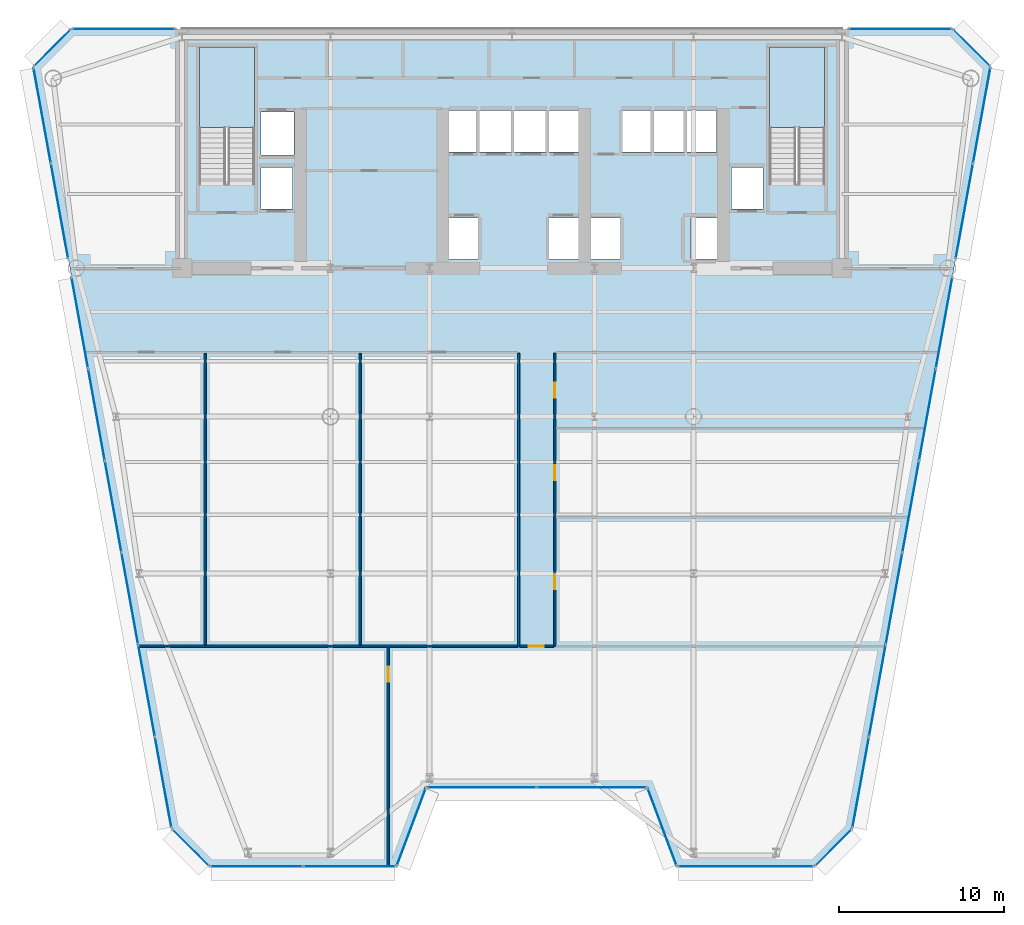
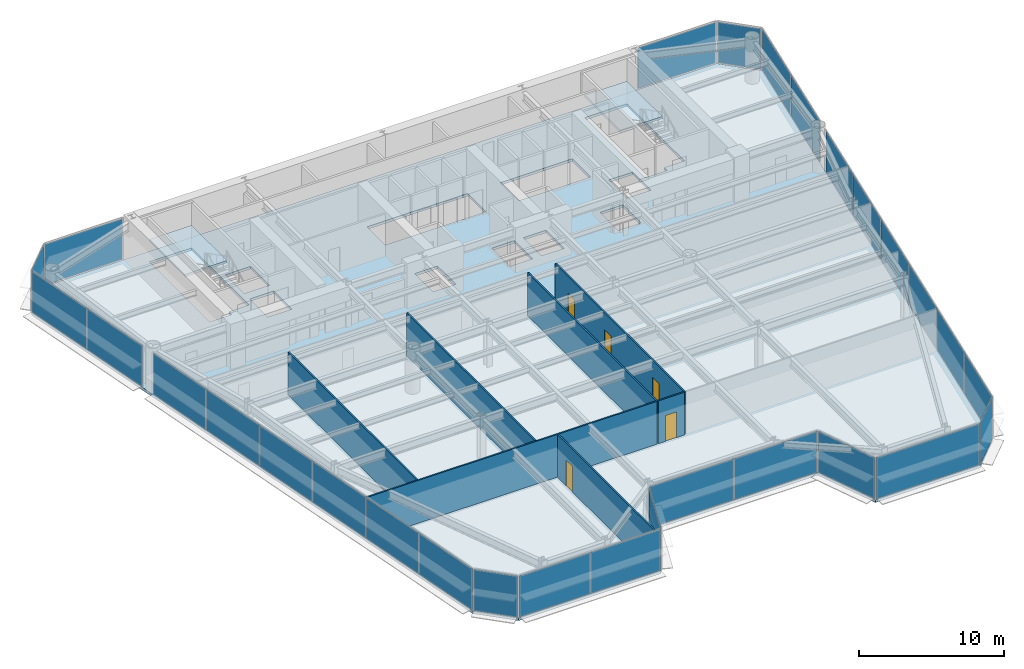
# One storey, part 7 of 14: 29 plates, 7 walls, 5 doors, 3 slabs, 5 openings, 17 elements without a shape of their own.
"""IFC4 building model written with IfcOpenShell, lengths in metres."""

from ifc_helpers import new_model, si_unit, direction, frame, frame_2d, origin, origin_2d, place, context, subcontext, project, spatial, polyline, rectangle, outline, extrude, source, transform, mapped, material, layer, layer_set, type_object, element, fill, aggregate, save


model = new_model("IFC4")

# Units and contexts
model_context = context("Model", 3, precision=1e-05, world=origin(), true_north=direction((0.0, 1.0)))
body_context = subcontext(model_context, "Body", "Model", "MODEL_VIEW")
ifc_project = project(units=[si_unit("LENGTHUNIT", "METRE"), si_unit("AREAUNIT", "SQUARE_METRE"), si_unit("VOLUMEUNIT", "CUBIC_METRE"), si_unit("PLANEANGLEUNIT", "RADIAN"), si_unit("MASSUNIT", "GRAM", prefix="KILO")], contexts=[model_context])

# Site, building, storey
site_placement = place(None, origin())
site = spatial("IfcSite", under=ifc_project, at=site_placement, CompositionType="ELEMENT")
building_placement = place(site_placement, origin())
building = spatial("IfcBuilding", under=site, at=building_placement, Name="Vaeldorn Concourse Tower", CompositionType="ELEMENT")
storey_placement = place(building_placement, frame((0.0, 0.0, 141.39990234375)))
storey = spatial("IfcBuildingStorey", under=building, at=storey_placement, Name="L36", CompositionType="ELEMENT", Elevation=141.39990234375)

# Stair, slab
ifc_material_1 = material(Name="Precast concrete C40/50", Category="concrete")
stair_type = type_object("IfcStairType", Name="STR-DOG-24x158", PredefinedType="HALF_TURN_STAIR", material=ifc_material_1)
stair_1_placement = place(storey_placement, origin())
stair_1 = element("IfcStair", 1, at=stair_1_placement, inside=storey, type_object=stair_type, Name="L36 West Core Exit Stair ST-1", PredefinedType="HALF_TURN_STAIR")
ifc_material_2 = material(Name="Concrete C40/50", Category="concrete")
ifc_layer_1 = layer(ifc_material_2, 0.199951171875)
ifc_layer_set_1 = layer_set([ifc_layer_1], Name="Concrete C40/50")
slab_type_1 = type_object("IfcSlabType", Name="SL-STAIR-LANDING", PredefinedType="LANDING", material=ifc_layer_set_1)
slab_1_placement = place(storey_placement, frame((0.0, 0.0, 1.7001953125)))
slab_1 = element("IfcSlab", 2, at=slab_1_placement, type_object=slab_type_1, Name="ST-1 landing 1", PredefinedType="LANDING", context=body_context, shape_type="SweptSolid", body=[
    extrude(outline(polyline([(18.39990234375, 45.010009765625), (18.39990234375, 49.89990234375), (15.050048828125, 49.89990234375), (15.050048828125, 45.010009765625), (18.39990234375, 45.010009765625)])), origin(), (0.0, 0.0, 1.0), 0.199951171875),
])
aggregate(stair_1, [slab_1])

stair_2_placement = place(storey_placement, origin())
stair_2 = element("IfcStair", 3, at=stair_2_placement, inside=storey, type_object=stair_type, Name="L36 East Core Exit Stair ST-2", PredefinedType="HALF_TURN_STAIR")
slab_2_placement = place(storey_placement, frame((0.0, 0.0, 1.7001953125)))
slab_2 = element("IfcSlab", 4, at=slab_2_placement, type_object=slab_type_1, Name="ST-2 landing 1", PredefinedType="LANDING", context=body_context, shape_type="SweptSolid", body=[
    extrude(outline(polyline([(52.949951171875, 45.010009765625), (52.949951171875, 49.89990234375), (49.60009765625, 49.89990234375), (49.60009765625, 45.010009765625), (52.949951171875, 45.010009765625)])), origin(), (0.0, 0.0, 1.0), 0.199951171875),
])
aggregate(stair_2, [slab_2])

# Slab
ifc_layer_2 = layer(ifc_material_2, 0.219970703125)
ifc_layer_set_2 = layer_set([ifc_layer_2], Name="Concrete C40/50")
slab_type_2 = type_object("IfcSlabType", Name="SL-TYP-220", PredefinedType="FLOOR", material=ifc_layer_set_2)
slab_3_placement = place(storey_placement, frame((0.0, 0.0, -0.219970703125)))
element("IfcSlab", 5, at=slab_3_placement, inside=storey, type_object=slab_type_2, Name="Structural Floor Slab L36", PredefinedType="FLOOR", context=body_context, shape_type="SweptSolid", body=[
    extrude(outline(polyline([(15.675537109375, 0.239013671875), (27.0, 0.239013671875), (28.800048828125, 5.0390625), (42.199951171875, 5.0390625), (44.0, 0.239013671875), (52.324462890625, 0.239013671875), (54.62451171875, 2.5390625), (63.0, 48.699951171875), (60.699951171875, 51.0), (7.300048828125, 51.0), (5.0, 48.699951171875), (13.37548828125, 2.5390625), (15.675537109375, 0.239013671875)]), holes=[polyline([(18.39990234375, 42.0), (18.39990234375, 49.89990234375), (15.050048828125, 49.89990234375), (15.050048828125, 41.60009765625), (16.800048828125, 41.60009765625), (16.800048828125, 42.0), (18.39990234375, 42.0)]), polyline([(52.949951171875, 42.0), (52.949951171875, 49.89990234375), (49.60009765625, 49.89990234375), (49.60009765625, 41.60009765625), (51.35009765625, 41.60009765625), (51.35009765625, 42.0), (52.949951171875, 42.0)]), polyline([(30.14990234375, 37.050048828125), (31.949951171875, 37.050048828125), (31.949951171875, 39.550048828125), (30.14990234375, 39.550048828125), (30.14990234375, 37.050048828125)]), polyline([(36.25, 37.050048828125), (38.050048828125, 37.050048828125), (38.050048828125, 39.550048828125), (36.25, 39.550048828125), (36.25, 37.050048828125)]), polyline([(30.10009765625, 43.550048828125), (38.10009765625, 43.550048828125), (38.10009765625, 46.050048828125), (30.10009765625, 46.050048828125), (30.10009765625, 43.550048828125)]), polyline([(38.75, 37.050048828125), (40.550048828125, 37.050048828125), (40.550048828125, 39.550048828125), (38.75, 39.550048828125), (38.75, 37.050048828125)]), polyline([(44.85009765625, 37.050048828125), (46.64990234375, 37.050048828125), (46.64990234375, 39.550048828125), (44.85009765625, 39.550048828125), (44.85009765625, 37.050048828125)]), polyline([(40.699951171875, 43.550048828125), (46.39990234375, 43.550048828125), (46.39990234375, 46.050048828125), (40.699951171875, 46.050048828125), (40.699951171875, 43.550048828125)]), polyline([(18.800048828125, 43.35009765625), (20.800048828125, 43.35009765625), (20.800048828125, 45.949951171875), (18.800048828125, 45.949951171875), (18.800048828125, 43.35009765625)]), polyline([(18.800048828125, 40.10009765625), (20.699951171875, 40.10009765625), (20.699951171875, 42.60009765625), (18.800048828125, 42.60009765625), (18.800048828125, 40.10009765625)]), polyline([(47.300048828125, 40.10009765625), (49.199951171875, 40.10009765625), (49.199951171875, 42.60009765625), (47.300048828125, 42.60009765625), (47.300048828125, 40.10009765625)])]), origin(), (0.0, 0.0, 1.0), 0.219970703125),
])

# Curtain wall, plate
ifc_material_3 = material(Name="Anodised Bronze Aluminium", Category="aluminium")
ifc_layer_3 = layer(ifc_material_3, 0.199951171875)
ifc_layer_set_3 = layer_set([ifc_layer_3], Name="Anodised Bronze Aluminium")
curtain_wall_type = type_object("IfcCurtainWallType", Name="CW-SYS-02", PredefinedType="NOTDEFINED", material=ifc_layer_set_3)
curtain_wall_1_placement = place(storey_placement, origin())
curtain_wall_1 = element("IfcCurtainWall", 6, at=curtain_wall_1_placement, inside=storey, type_object=curtain_wall_type, Name="Unitised Curtain Wall CW-L36-E02-1", PredefinedType="NOTDEFINED")
ifc_material_4 = material(Name="Bronze Tinted Low-E Insulated Glass", Category="glass")
ifc_layer_4 = layer(ifc_material_4, 0.031982421875)
ifc_layer_set_4 = layer_set([ifc_layer_4], Name="Bronze Tinted Low-E Insulated Glass")
plate_type = type_object("IfcPlateType", Name="CWP-VISION-32", PredefinedType="CURTAIN_PANEL", material=ifc_layer_set_4)
shared_shape_1 = source(origin(), body_context, "Body", "SweptSolid", [
    extrude(rectangle(XDim=4.976318359375, YDim=0.031982421875, at=origin_2d()), origin(), (0.0, 0.0, 1.0), 3.429931640625),
])
plate_1_placement = place(storey_placement, frame((27.89990234375, 2.63916015625, 0.0751953125), z_axis=(0.0, 0.0, 1.0), x_axis=(0.351123441595, 0.936329177566, 0.0)))
plate_1 = element("IfcPlate", 7, at=plate_1_placement, type_object=plate_type, Name="CW-02 panel 1.1", PredefinedType="CURTAIN_PANEL", context=body_context, shape_type="MappedRepresentation", body=[
    mapped(shared_shape_1, transform((0.0, 0.0, 0.0), scale=1.0)),
])
aggregate(curtain_wall_1, [plate_1])

curtain_wall_2_placement = place(storey_placement, origin())
curtain_wall_2 = element("IfcCurtainWall", 8, at=curtain_wall_2_placement, inside=storey, type_object=curtain_wall_type, Name="Unitised Curtain Wall CW-L36-E04-1", PredefinedType="NOTDEFINED")
plate_2_placement = place(storey_placement, frame((43.10009765625, 2.63916015625, 0.0751953125), z_axis=(0.0, 0.0, 1.0), x_axis=(0.351123441595, -0.936329177566, 0.0)))
plate_2 = element("IfcPlate", 9, at=plate_2_placement, type_object=plate_type, Name="CW-02 panel 1.1", PredefinedType="CURTAIN_PANEL", context=body_context, shape_type="MappedRepresentation", body=[
    mapped(shared_shape_1, transform((0.0, 0.0, 0.0), scale=1.0)),
])
aggregate(curtain_wall_2, [plate_2])

# Curtain wall, plates
curtain_wall_3_placement = place(storey_placement, origin())
curtain_wall_3 = element("IfcCurtainWall", 10, at=curtain_wall_3_placement, inside=storey, type_object=curtain_wall_type, Name="Unitised Curtain Wall CW-L36-E03-1", PredefinedType="NOTDEFINED")
shared_shape_2 = source(origin(), body_context, "Body", "SweptSolid", [
    extrude(rectangle(XDim=6.58740234375, YDim=0.031982421875, at=origin_2d()), origin(), (0.0, 0.0, 1.0), 3.429931640625),
])
plate_3_placement = place(storey_placement, frame((32.168701171875, 5.0390625, 0.0751953125), z_axis=(0.0, 0.0, 1.0), x_axis=(1.0, 0.0, 0.0)))
plate_3 = element("IfcPlate", 11, at=plate_3_placement, type_object=plate_type, Name="CW-02 panel 1.1", PredefinedType="CURTAIN_PANEL", context=body_context, shape_type="MappedRepresentation", body=[
    mapped(shared_shape_2, transform((0.0, 0.0, 0.0), scale=1.0)),
])
plate_4_placement = place(storey_placement, frame((38.831298828125, 5.0390625, 0.0751953125), z_axis=(0.0, 0.0, 1.0), x_axis=(1.0, 0.0, 0.0)))
plate_4 = element("IfcPlate", 12, at=plate_4_placement, type_object=plate_type, Name="CW-02 panel 2.1", PredefinedType="CURTAIN_PANEL", context=body_context, shape_type="MappedRepresentation", body=[
    mapped(shared_shape_2, transform((0.0, 0.0, 0.0), scale=1.0)),
])
aggregate(curtain_wall_3, [plate_3, plate_4])

# Curtain wall, plate
curtain_wall_4_placement = place(storey_placement, origin())
curtain_wall_4 = element("IfcCurtainWall", 13, at=curtain_wall_4_placement, inside=storey, type_object=curtain_wall_type, Name="Unitised Curtain Wall CW-L36-E06-1", PredefinedType="NOTDEFINED")
shared_shape_3 = source(origin(), body_context, "Body", "SweptSolid", [
    extrude(rectangle(XDim=3.102783203125, YDim=0.031982421875, at=origin_2d()), origin(), (0.0, 0.0, 1.0), 3.429931640625),
])
plate_5_placement = place(storey_placement, frame((53.474609375, 1.38916015625, 0.0751953125), z_axis=(0.0, 0.0, 1.0), x_axis=(0.707106781187, 0.707106781187, 0.0)))
plate_5 = element("IfcPlate", 14, at=plate_5_placement, type_object=plate_type, Name="CW-02 panel 1.1", PredefinedType="CURTAIN_PANEL", context=body_context, shape_type="MappedRepresentation", body=[
    mapped(shared_shape_3, transform((0.0, 0.0, 0.0), scale=1.0)),
])
aggregate(curtain_wall_4, [plate_5])

curtain_wall_5_placement = place(storey_placement, origin())
curtain_wall_5 = element("IfcCurtainWall", 15, at=curtain_wall_5_placement, inside=storey, type_object=curtain_wall_type, Name="Unitised Curtain Wall CW-L36-E08-1", PredefinedType="NOTDEFINED")
plate_6_placement = place(storey_placement, frame((61.85009765625, 49.85009765625, 0.0751953125), z_axis=(0.0, 0.0, 1.0), x_axis=(-0.707106781187, 0.707106781187, 0.0)))
plate_6 = element("IfcPlate", 16, at=plate_6_placement, type_object=plate_type, Name="CW-02 panel 1.1", PredefinedType="CURTAIN_PANEL", context=body_context, shape_type="MappedRepresentation", body=[
    mapped(shared_shape_3, transform((0.0, 0.0, 0.0), scale=1.0)),
])
aggregate(curtain_wall_5, [plate_6])

curtain_wall_6_placement = place(storey_placement, origin())
curtain_wall_6 = element("IfcCurtainWall", 17, at=curtain_wall_6_placement, inside=storey, type_object=curtain_wall_type, Name="Unitised Curtain Wall CW-L36-E10-1", PredefinedType="NOTDEFINED")
plate_7_placement = place(storey_placement, frame((6.14990234375, 49.85009765625, 0.0751953125), z_axis=(0.0, 0.0, 1.0), x_axis=(-0.707106781187, -0.707106781187, 0.0)))
plate_7 = element("IfcPlate", 18, at=plate_7_placement, type_object=plate_type, Name="CW-02 panel 1.1", PredefinedType="CURTAIN_PANEL", context=body_context, shape_type="MappedRepresentation", body=[
    mapped(shared_shape_3, transform((0.0, 0.0, 0.0), scale=1.0)),
])
aggregate(curtain_wall_6, [plate_7])

curtain_wall_7_placement = place(storey_placement, origin())
curtain_wall_7 = element("IfcCurtainWall", 19, at=curtain_wall_7_placement, inside=storey, type_object=curtain_wall_type, Name="Unitised Curtain Wall CW-L36-E12-1", PredefinedType="NOTDEFINED")
plate_8_placement = place(storey_placement, frame((14.525390625, 1.38916015625, 0.0751953125), z_axis=(0.0, 0.0, 1.0), x_axis=(0.707106781187, -0.707106781187, 0.0)))
plate_8 = element("IfcPlate", 20, at=plate_8_placement, type_object=plate_type, Name="CW-02 panel 1.1", PredefinedType="CURTAIN_PANEL", context=body_context, shape_type="MappedRepresentation", body=[
    mapped(shared_shape_3, transform((0.0, 0.0, 0.0), scale=1.0)),
])
aggregate(curtain_wall_7, [plate_8])

# Curtain wall, plates
curtain_wall_8_placement = place(storey_placement, origin())
curtain_wall_8 = element("IfcCurtainWall", 21, at=curtain_wall_8_placement, inside=storey, type_object=curtain_wall_type, Name="Unitised Curtain Wall CW-L36-E01-1", PredefinedType="NOTDEFINED")
shared_shape_4 = source(origin(), body_context, "Body", "SweptSolid", [
    extrude(rectangle(XDim=5.5498046875, YDim=0.031982421875, at=origin_2d()), origin(), (0.0, 0.0, 1.0), 3.429931640625),
])
plate_9_placement = place(storey_placement, frame((18.525390625, 0.239013671875, 0.0751953125), z_axis=(0.0, 0.0, 1.0), x_axis=(1.0, 0.0, 0.0)))
plate_9 = element("IfcPlate", 22, at=plate_9_placement, type_object=plate_type, Name="CW-02 panel 1.1", PredefinedType="CURTAIN_PANEL", context=body_context, shape_type="MappedRepresentation", body=[
    mapped(shared_shape_4, transform((0.0, 0.0, 0.0), scale=1.0)),
])
plate_10_placement = place(storey_placement, frame((24.150146484375, 0.239013671875, 0.0751953125), z_axis=(0.0, 0.0, 1.0), x_axis=(1.0, 0.0, 0.0)))
plate_10 = element("IfcPlate", 23, at=plate_10_placement, type_object=plate_type, Name="CW-02 panel 2.1", PredefinedType="CURTAIN_PANEL", context=body_context, shape_type="MappedRepresentation", body=[
    mapped(shared_shape_4, transform((0.0, 0.0, 0.0), scale=1.0)),
])
aggregate(curtain_wall_8, [plate_9, plate_10])

# Curtain wall, plate
curtain_wall_9_placement = place(storey_placement, origin())
curtain_wall_9 = element("IfcCurtainWall", 24, at=curtain_wall_9_placement, inside=storey, type_object=curtain_wall_type, Name="Unitised Curtain Wall CW-L36-E05-1", PredefinedType="NOTDEFINED")
shared_shape_5 = source(origin(), body_context, "Body", "SweptSolid", [
    extrude(rectangle(XDim=8.174560546875, YDim=0.031982421875, at=origin_2d()), origin(), (0.0, 0.0, 1.0), 3.429931640625),
])
plate_11_placement = place(storey_placement, frame((48.162353515625, 0.239013671875, 0.0751953125), z_axis=(0.0, 0.0, 1.0), x_axis=(1.0, 0.0, 0.0)))
plate_11 = element("IfcPlate", 25, at=plate_11_placement, type_object=plate_type, Name="CW-02 panel 1.1", PredefinedType="CURTAIN_PANEL", context=body_context, shape_type="MappedRepresentation", body=[
    mapped(shared_shape_5, transform((0.0, 0.0, 0.0), scale=1.0)),
])
aggregate(curtain_wall_9, [plate_11])

curtain_wall_10_placement = place(storey_placement, origin())
curtain_wall_10 = element("IfcCurtainWall", 26, at=curtain_wall_10_placement, inside=storey, type_object=curtain_wall_type, Name="Unitised Curtain Wall CW-L36-E09-1", PredefinedType="NOTDEFINED")
shared_shape_6 = source(origin(), body_context, "Body", "SweptSolid", [
    extrude(rectangle(XDim=6.179931640625, YDim=0.031982421875, at=origin_2d()), origin(), (0.0, 0.0, 1.0), 3.429931640625),
])
plate_12_placement = place(storey_placement, frame((57.534912109375, 51.0, 0.0751953125), z_axis=(0.0, 0.0, 1.0), x_axis=(-1.0, 0.0, 0.0)))
plate_12 = element("IfcPlate", 27, at=plate_12_placement, type_object=plate_type, Name="CW-02 panel 1.1", PredefinedType="CURTAIN_PANEL", context=body_context, shape_type="MappedRepresentation", body=[
    mapped(shared_shape_6, transform((0.0, 0.0, 0.0), scale=1.0)),
])
aggregate(curtain_wall_10, [plate_12])

curtain_wall_11_placement = place(storey_placement, origin())
curtain_wall_11 = element("IfcCurtainWall", 28, at=curtain_wall_11_placement, inside=storey, type_object=curtain_wall_type, Name="Unitised Curtain Wall CW-L36-E09-2", PredefinedType="NOTDEFINED")
plate_13_placement = place(storey_placement, frame((10.465087890625, 51.0, 0.0751953125), z_axis=(0.0, 0.0, 1.0), x_axis=(-1.0, 0.0, 0.0)))
plate_13 = element("IfcPlate", 29, at=plate_13_placement, type_object=plate_type, Name="CW-02 panel 1.1", PredefinedType="CURTAIN_PANEL", context=body_context, shape_type="MappedRepresentation", body=[
    mapped(shared_shape_6, transform((0.0, 0.0, 0.0), scale=1.0)),
])
aggregate(curtain_wall_11, [plate_13])

# Curtain wall, plates
curtain_wall_12_placement = place(storey_placement, origin())
curtain_wall_12 = element("IfcCurtainWall", 30, at=curtain_wall_12_placement, inside=storey, type_object=curtain_wall_type, Name="Unitised Curtain Wall CW-L36-E07-2", PredefinedType="NOTDEFINED")
shared_shape_7 = source(origin(), body_context, "Body", "SweptSolid", [
    extrude(rectangle(XDim=5.823974609375, YDim=0.031982421875, at=origin_2d()), origin(), (0.0, 0.0, 1.0), 3.429931640625),
])
plate_14_placement = place(storey_placement, frame((61.41357421875, 39.95703125, 0.0751953125), z_axis=(0.0, 0.0, 1.0), x_axis=(0.178526688398, 0.983935069773, 0.0)))
plate_14 = element("IfcPlate", 31, at=plate_14_placement, type_object=plate_type, Name="CW-02 panel 1.1", PredefinedType="CURTAIN_PANEL", context=body_context, shape_type="MappedRepresentation", body=[
    mapped(shared_shape_7, transform((0.0, 0.0, 0.0), scale=1.0)),
])
plate_15_placement = place(storey_placement, frame((62.466796875, 45.760986328125, 0.0751953125), z_axis=(0.0, 0.0, 1.0), x_axis=(0.178526688398, 0.983935069773, 0.0)))
plate_15 = element("IfcPlate", 32, at=plate_15_placement, type_object=plate_type, Name="CW-02 panel 2.1", PredefinedType="CURTAIN_PANEL", context=body_context, shape_type="MappedRepresentation", body=[
    mapped(shared_shape_7, transform((0.0, 0.0, 0.0), scale=1.0)),
])
aggregate(curtain_wall_12, [plate_14, plate_15])

curtain_wall_13_placement = place(storey_placement, origin())
curtain_wall_13 = element("IfcCurtainWall", 33, at=curtain_wall_13_placement, inside=storey, type_object=curtain_wall_type, Name="Unitised Curtain Wall CW-L36-E11-1", PredefinedType="NOTDEFINED")
plate_16_placement = place(storey_placement, frame((5.533203125, 45.760986328125, 0.0751953125), z_axis=(0.0, 0.0, 1.0), x_axis=(0.178526688398, -0.983935069773, 0.0)))
plate_16 = element("IfcPlate", 34, at=plate_16_placement, type_object=plate_type, Name="CW-02 panel 1.1", PredefinedType="CURTAIN_PANEL", context=body_context, shape_type="MappedRepresentation", body=[
    mapped(shared_shape_7, transform((0.0, 0.0, 0.0), scale=1.0)),
])
plate_17_placement = place(storey_placement, frame((6.58642578125, 39.95703125, 0.0751953125), z_axis=(0.0, 0.0, 1.0), x_axis=(0.178526688398, -0.983935069773, 0.0)))
plate_17 = element("IfcPlate", 35, at=plate_17_placement, type_object=plate_type, Name="CW-02 panel 2.1", PredefinedType="CURTAIN_PANEL", context=body_context, shape_type="MappedRepresentation", body=[
    mapped(shared_shape_7, transform((0.0, 0.0, 0.0), scale=1.0)),
])
aggregate(curtain_wall_13, [plate_16, plate_17])

curtain_wall_14_placement = place(storey_placement, origin())
curtain_wall_14 = element("IfcCurtainWall", 36, at=curtain_wall_14_placement, inside=storey, type_object=curtain_wall_type, Name="Unitised Curtain Wall CW-L36-E07-1", PredefinedType="NOTDEFINED")
shared_shape_8 = source(origin(), body_context, "Body", "SweptSolid", [
    extrude(rectangle(XDim=5.55224609375, YDim=0.031982421875, at=origin_2d()), origin(), (0.0, 0.0, 1.0), 3.429931640625),
])
plate_18_placement = place(storey_placement, frame((55.133544921875, 5.344482421875, 0.0751953125), z_axis=(0.0, 0.0, 1.0), x_axis=(0.17852580322, 0.983935230381, 0.0)))
plate_18 = element("IfcPlate", 37, at=plate_18_placement, type_object=plate_type, Name="CW-02 panel 1.1", PredefinedType="CURTAIN_PANEL", context=body_context, shape_type="MappedRepresentation", body=[
    mapped(shared_shape_8, transform((0.0, 0.0, 0.0), scale=1.0)),
])
plate_19_placement = place(storey_placement, frame((60.183349609375, 33.1767578125, 0.0751953125), z_axis=(0.0, 0.0, 1.0), x_axis=(0.17852580322, 0.983935230381, 0.0)))
plate_19 = element("IfcPlate", 38, at=plate_19_placement, type_object=plate_type, Name="CW-02 panel 6.1", PredefinedType="CURTAIN_PANEL", context=body_context, shape_type="MappedRepresentation", body=[
    mapped(shared_shape_8, transform((0.0, 0.0, 0.0), scale=1.0)),
])

curtain_wall_15_placement = place(storey_placement, origin())
curtain_wall_15 = element("IfcCurtainWall", 39, at=curtain_wall_15_placement, inside=storey, type_object=curtain_wall_type, Name="Unitised Curtain Wall CW-L36-E11-2", PredefinedType="NOTDEFINED")
plate_20_placement = place(storey_placement, frame((7.816650390625, 33.1767578125, 0.0751953125), z_axis=(0.0, 0.0, 1.0), x_axis=(0.17852580322, -0.983935230381, 0.0)))
plate_20 = element("IfcPlate", 40, at=plate_20_placement, type_object=plate_type, Name="CW-02 panel 1.1", PredefinedType="CURTAIN_PANEL", context=body_context, shape_type="MappedRepresentation", body=[
    mapped(shared_shape_8, transform((0.0, 0.0, 0.0), scale=1.0)),
])
plate_21_placement = place(storey_placement, frame((12.866455078125, 5.344482421875, 0.0751953125), z_axis=(0.0, 0.0, 1.0), x_axis=(0.17852580322, -0.983935230381, 0.0)))
plate_21 = element("IfcPlate", 41, at=plate_21_placement, type_object=plate_type, Name="CW-02 panel 6.1", PredefinedType="CURTAIN_PANEL", context=body_context, shape_type="MappedRepresentation", body=[
    mapped(shared_shape_8, transform((0.0, 0.0, 0.0), scale=1.0)),
])

# Plate
shared_shape_9 = source(origin(), body_context, "Body", "SweptSolid", [
    extrude(rectangle(XDim=5.58984375, YDim=0.031982421875, at=origin_2d()), origin(), (0.0, 0.0, 1.0), 3.429931640625),
])
plate_22_placement = place(storey_placement, frame((56.141357421875, 10.89990234375, 0.0751953125), z_axis=(0.0, 0.0, 1.0), x_axis=(0.17852580322, 0.983935230381, 0.0)))
plate_22 = element("IfcPlate", 42, at=plate_22_placement, type_object=plate_type, Name="CW-02 panel 2.1", PredefinedType="CURTAIN_PANEL", context=body_context, shape_type="MappedRepresentation", body=[
    mapped(shared_shape_9, transform((0.0, 0.0, 0.0), scale=1.0)),
])

plate_23_placement = place(storey_placement, frame((57.15283203125, 16.4736328125, 0.0751953125), z_axis=(0.0, 0.0, 1.0), x_axis=(0.17852580322, 0.983935230381, 0.0)))
plate_23 = element("IfcPlate", 43, at=plate_23_placement, type_object=plate_type, Name="CW-02 panel 3.1", PredefinedType="CURTAIN_PANEL", context=body_context, shape_type="MappedRepresentation", body=[
    mapped(shared_shape_9, transform((0.0, 0.0, 0.0), scale=1.0)),
])

plate_24_placement = place(storey_placement, frame((58.1640625, 22.04736328125, 0.0751953125), z_axis=(0.0, 0.0, 1.0), x_axis=(0.17852580322, 0.983935230381, 0.0)))
plate_24 = element("IfcPlate", 44, at=plate_24_placement, type_object=plate_type, Name="CW-02 panel 4.1", PredefinedType="CURTAIN_PANEL", context=body_context, shape_type="MappedRepresentation", body=[
    mapped(shared_shape_9, transform((0.0, 0.0, 0.0), scale=1.0)),
])

plate_25_placement = place(storey_placement, frame((59.175537109375, 27.621337890625, 0.0751953125), z_axis=(0.0, 0.0, 1.0), x_axis=(0.17852580322, 0.983935230381, 0.0)))
plate_25 = element("IfcPlate", 45, at=plate_25_placement, type_object=plate_type, Name="CW-02 panel 5.1", PredefinedType="CURTAIN_PANEL", context=body_context, shape_type="MappedRepresentation", body=[
    mapped(shared_shape_9, transform((0.0, 0.0, 0.0), scale=1.0)),
])

aggregate(curtain_wall_14, [plate_18, plate_22, plate_23, plate_24, plate_25, plate_19])

plate_26_placement = place(storey_placement, frame((8.824462890625, 27.621337890625, 0.0751953125), z_axis=(0.0, 0.0, 1.0), x_axis=(0.17852580322, -0.983935230381, 0.0)))
plate_26 = element("IfcPlate", 46, at=plate_26_placement, type_object=plate_type, Name="CW-02 panel 2.1", PredefinedType="CURTAIN_PANEL", context=body_context, shape_type="MappedRepresentation", body=[
    mapped(shared_shape_9, transform((0.0, 0.0, 0.0), scale=1.0)),
])

plate_27_placement = place(storey_placement, frame((9.8359375, 22.04736328125, 0.0751953125), z_axis=(0.0, 0.0, 1.0), x_axis=(0.17852580322, -0.983935230381, 0.0)))
plate_27 = element("IfcPlate", 47, at=plate_27_placement, type_object=plate_type, Name="CW-02 panel 3.1", PredefinedType="CURTAIN_PANEL", context=body_context, shape_type="MappedRepresentation", body=[
    mapped(shared_shape_9, transform((0.0, 0.0, 0.0), scale=1.0)),
])

plate_28_placement = place(storey_placement, frame((10.84716796875, 16.4736328125, 0.0751953125), z_axis=(0.0, 0.0, 1.0), x_axis=(0.17852580322, -0.983935230381, 0.0)))
plate_28 = element("IfcPlate", 48, at=plate_28_placement, type_object=plate_type, Name="CW-02 panel 4.1", PredefinedType="CURTAIN_PANEL", context=body_context, shape_type="MappedRepresentation", body=[
    mapped(shared_shape_9, transform((0.0, 0.0, 0.0), scale=1.0)),
])

plate_29_placement = place(storey_placement, frame((11.858642578125, 10.89990234375, 0.0751953125), z_axis=(0.0, 0.0, 1.0), x_axis=(0.17852580322, -0.983935230381, 0.0)))
plate_29 = element("IfcPlate", 49, at=plate_29_placement, type_object=plate_type, Name="CW-02 panel 5.1", PredefinedType="CURTAIN_PANEL", context=body_context, shape_type="MappedRepresentation", body=[
    mapped(shared_shape_9, transform((0.0, 0.0, 0.0), scale=1.0)),
])

aggregate(curtain_wall_15, [plate_20, plate_26, plate_27, plate_28, plate_29, plate_21])

# Wall
ifc_material_5 = material(Name="Gypsum Board Partition", Category="gypsum")
ifc_layer_5 = layer(ifc_material_5, 0.1201171875)
ifc_layer_set_5 = layer_set([ifc_layer_5], Name="Gypsum Board Partition")
wall_type = type_object("IfcWallType", Name="WL-PART-120", PredefinedType="PARTITIONING", material=ifc_layer_set_5)
wall_1_placement = place(storey_placement, frame((34.39990234375, 13.60009765625, 0.0), z_axis=(0.0, 0.0, 1.0), x_axis=(0.0, 1.0, 0.0)))
element("IfcWall", 50, at=wall_1_placement, inside=storey, type_object=wall_type, Name="Interior Wall PW-L36-SP2W", PredefinedType="PARTITIONING", context=body_context, shape_type="SweptSolid", body=[
    extrude(rectangle(XDim=17.739990234375, YDim=0.1201171875, at=frame_2d((8.8701171875, 0.0))), origin(), (0.0, 0.0, 1.0), 3.580078125),
])

# Wall, openings, doors
wall_2_placement = place(storey_placement, frame((36.60009765625, 13.60009765625, 0.0), z_axis=(0.0, 0.0, 1.0), x_axis=(0.0, 1.0, 0.0)))
wall_2 = element("IfcWall", 51, at=wall_2_placement, inside=storey, type_object=wall_type, Name="Interior Wall PW-L36-SP2E", PredefinedType="PARTITIONING", context=body_context, shape_type="SweptSolid", body=[
    extrude(rectangle(XDim=17.739990234375, YDim=0.1201171875, at=frame_2d((8.8701171875, 0.0))), origin(), (0.0, 0.0, 1.0), 3.580078125),
])
opening_1_placement = place(wall_2_placement, frame((3.449951171875, 0.0, 0.0)))
opening_1 = element("IfcOpeningElement", 52, at=opening_1_placement, cuts=wall_2, Name="Opening D-03", PredefinedType="OPENING", context=body_context, shape_type="SweptSolid", body=[
    extrude(rectangle(XDim=0.89990234375, YDim=2.14990234375, at=frame_2d((0.449951171875, 1.074951171875))), frame((0.0, 0.070068359375, 0.0), z_axis=(0.0, -1.0, 0.0), x_axis=(1.0, 0.0, 0.0)), (0.0, 0.0, 1.0), 0.14013671875),
])
opening_2_placement = place(wall_2_placement, frame((10.050048828125, 0.0, 0.0)))
opening_2 = element("IfcOpeningElement", 53, at=opening_2_placement, cuts=wall_2, Name="Opening D-03", PredefinedType="OPENING", context=body_context, shape_type="SweptSolid", body=[
    extrude(rectangle(XDim=0.89990234375, YDim=2.14990234375, at=frame_2d((0.449951171875, 1.074951171875))), frame((0.0, 0.070068359375, 0.0), z_axis=(0.0, -1.0, 0.0), x_axis=(1.0, 0.0, 0.0)), (0.0, 0.0, 1.0), 0.14013671875),
])
opening_3_placement = place(wall_2_placement, frame((15.050048828125, 0.0, 0.0)))
opening_3 = element("IfcOpeningElement", 54, at=opening_3_placement, cuts=wall_2, Name="Opening D-03", PredefinedType="OPENING", context=body_context, shape_type="SweptSolid", body=[
    extrude(rectangle(XDim=0.89990234375, YDim=2.14990234375, at=frame_2d((0.449951171875, 1.074951171875))), frame((0.0, 0.070068359375, 0.0), z_axis=(0.0, -1.0, 0.0), x_axis=(1.0, 0.0, 0.0)), (0.0, 0.0, 1.0), 0.14013671875),
])
ifc_material_6 = material(Name="Acoustic Bronze-Framed Glass Door", Category="glass")
door_type = type_object("IfcDoorType", Name="DR-INT-900", OperationType="NOTDEFINED", PredefinedType="DOOR", material=ifc_material_6)
shared_shape_10 = source(origin(), body_context, "Body", "SweptSolid", [
    extrude(rectangle(XDim=0.89990234375, YDim=2.14990234375, at=frame_2d((0.449951171875, 1.074951171875))), frame((0.0, 0.02490234375, 0.0), z_axis=(0.0, -1.0, 0.0), x_axis=(1.0, 0.0, 0.0)), (0.0, 0.0, 1.0), 0.050048828125),
])
door_1_placement = place(opening_1_placement, origin())
door_1 = element("IfcDoor", 55, at=door_1_placement, inside=storey, type_object=door_type, Name="Interior Door DR-L36-Z2E1", OperationType="SINGLE_SWING_RIGHT", OverallHeight=2.14990234375, OverallWidth=0.89990234375, PredefinedType="DOOR", context=body_context, shape_type="MappedRepresentation", body=[
    mapped(shared_shape_10, transform((0.0, 0.0, 0.0), scale=1.0)),
])
fill(opening_1, door_1)
door_2_placement = place(opening_2_placement, origin())
door_2 = element("IfcDoor", 56, at=door_2_placement, inside=storey, type_object=door_type, Name="Interior Door DR-L36-Z2E2", OperationType="SINGLE_SWING_LEFT", OverallHeight=2.14990234375, OverallWidth=0.89990234375, PredefinedType="DOOR", context=body_context, shape_type="MappedRepresentation", body=[
    mapped(shared_shape_10, transform((0.0, 0.0, 0.0), scale=1.0)),
])
fill(opening_2, door_2)
door_3_placement = place(opening_3_placement, origin())
door_3 = element("IfcDoor", 57, at=door_3_placement, inside=storey, type_object=door_type, Name="Interior Door DR-L36-Z2E3", OperationType="SINGLE_SWING_RIGHT", OverallHeight=2.14990234375, OverallWidth=0.89990234375, PredefinedType="DOOR", context=body_context, shape_type="MappedRepresentation", body=[
    mapped(shared_shape_10, transform((0.0, 0.0, 0.0), scale=1.0)),
])
fill(opening_3, door_3)

# Wall, opening, door
wall_3_placement = place(storey_placement, frame((34.4599609375, 13.60009765625, 0.0), z_axis=(0.0, 0.0, 1.0), x_axis=(1.0, 0.0, 0.0)))
wall_3 = element("IfcWall", 58, at=wall_3_placement, inside=storey, type_object=wall_type, Name="Interior Wall PW-L36-SP2S", PredefinedType="PARTITIONING", context=body_context, shape_type="SweptSolid", body=[
    extrude(rectangle(XDim=2.080078125, YDim=0.1201171875, at=frame_2d((1.0400390625, 0.0))), origin(), (0.0, 0.0, 1.0), 3.580078125),
])
opening_4_placement = place(wall_3_placement, frame((0.550048828125, 0.0, 0.0)))
opening_4 = element("IfcOpeningElement", 59, at=opening_4_placement, cuts=wall_3, Name="Opening D-03", PredefinedType="OPENING", context=body_context, shape_type="SweptSolid", body=[
    extrude(rectangle(XDim=0.89990234375, YDim=2.14990234375, at=frame_2d((0.449951171875, 1.074951171875))), frame((0.0, 0.070068359375, 0.0), z_axis=(0.0, -1.0, 0.0), x_axis=(1.0, 0.0, 0.0)), (0.0, 0.0, 1.0), 0.14013671875),
])
door_4_placement = place(opening_4_placement, origin())
door_4 = element("IfcDoor", 60, at=door_4_placement, inside=storey, type_object=door_type, Name="Interior Door DR-L36-Z2SFM", OperationType="SINGLE_SWING_LEFT", OverallHeight=2.14990234375, OverallWidth=0.89990234375, PredefinedType="DOOR", context=body_context, shape_type="MappedRepresentation", body=[
    mapped(shared_shape_10, transform((0.0, 0.0, 0.0), scale=1.0)),
])
fill(opening_4, door_4)

# Wall
wall_4_placement = place(storey_placement, frame((11.40869140625, 13.60009765625, 0.0), z_axis=(0.0, 0.0, 1.0), x_axis=(1.0, 0.0, 0.0)))
element("IfcWall", 61, at=wall_4_placement, inside=storey, type_object=wall_type, Name="Interior Wall PW-L36-S2WL", PredefinedType="PARTITIONING", context=body_context, shape_type="SweptSolid", body=[
    extrude(rectangle(XDim=22.931396484375, YDim=0.1201171875, at=frame_2d((11.4658203125, 0.0))), origin(), (0.0, 0.0, 1.0), 3.580078125),
])

# Wall, opening, door
wall_5_placement = place(storey_placement, frame((26.5, 0.279052734375, 0.0), z_axis=(0.0, 0.0, 1.0), x_axis=(0.0, 1.0, 0.0)))
wall_5 = element("IfcWall", 62, at=wall_5_placement, inside=storey, type_object=wall_type, Name="Interior Wall PW-L36-Z2SFX1", PredefinedType="PARTITIONING", context=body_context, shape_type="SweptSolid", body=[
    extrude(rectangle(XDim=13.260986328125, YDim=0.1201171875, at=frame_2d((6.63037109375, 0.0))), origin(), (0.0, 0.0, 1.0), 3.580078125),
])
opening_5_placement = place(wall_5_placement, frame((11.160888671875, 0.0, 0.0)))
opening_5 = element("IfcOpeningElement", 63, at=opening_5_placement, cuts=wall_5, Name="Opening D-03", PredefinedType="OPENING", context=body_context, shape_type="SweptSolid", body=[
    extrude(rectangle(XDim=0.89990234375, YDim=2.14990234375, at=frame_2d((0.449951171875, 1.074951171875))), frame((0.0, 0.070068359375, 0.0), z_axis=(0.0, -1.0, 0.0), x_axis=(1.0, 0.0, 0.0)), (0.0, 0.0, 1.0), 0.14013671875),
])
door_5_placement = place(opening_5_placement, origin())
door_5 = element("IfcDoor", 64, at=door_5_placement, inside=storey, type_object=door_type, Name="Interior Door DR-L36-Z2SFX1", OperationType="SINGLE_SWING_RIGHT", OverallHeight=2.14990234375, OverallWidth=0.89990234375, PredefinedType="DOOR", context=body_context, shape_type="MappedRepresentation", body=[
    mapped(shared_shape_10, transform((0.0, 0.0, 0.0), scale=1.0)),
])
fill(opening_5, door_5)

# Walls
for number, where, z_axis, x_axis, name in (
    (65, (15.39990234375, 13.659912109375, 0.0), (0.0, 0.0, 1.0), (0.0, 1.0, 0.0), "Interior Wall PW-L36-Z2WX1"),
    (66, (24.800048828125, 13.659912109375, 0.0), (0.0, 0.0, 1.0), (0.0, 1.0, 0.0), "Interior Wall PW-L36-Z2WX2"),
):
    element("IfcWall", number, at=place(storey_placement, frame(where, z_axis=z_axis, x_axis=x_axis)), inside=storey, type_object=wall_type, Name=name, PredefinedType="PARTITIONING", context=body_context, shape_type="SweptSolid", body=[
        extrude(rectangle(XDim=17.68017578125, YDim=0.1201171875, at=frame_2d((8.840087890625, 0.0))), origin(), (0.0, 0.0, 1.0), 3.580078125),
    ])

save(model, "model.ifc")
